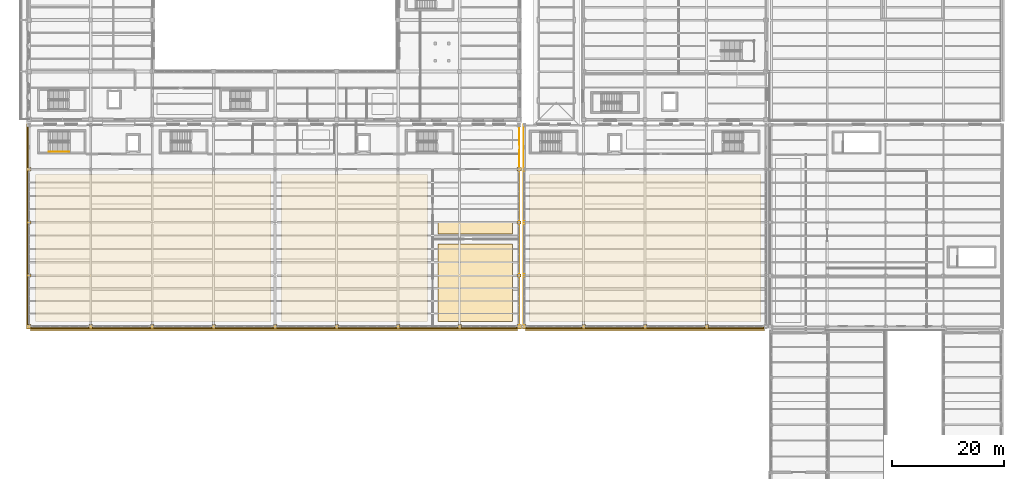
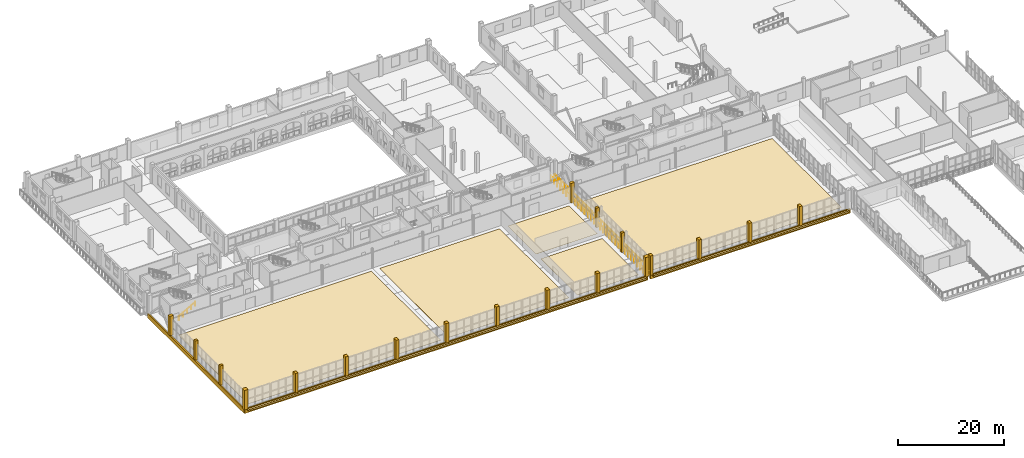
# One storey, part 135 of 156: 29 coverings, 3 railings.
"""IFC4 building model written with IfcOpenShell, lengths in metres."""

from ifc_helpers import new_model, si_unit, direction, frame, frame_2d, origin, origin_2d, place, context, subcontext, project, spatial, polyline, rectangle, circle, outline, extrude, material, layer, layer_set, type_object, element, save


model = new_model("IFC4")

# Units and contexts
model_context = context("Model", 3, precision=1e-05, world=origin(), true_north=direction((0.0, 1.0)))
body_context = subcontext(model_context, "Body", "Model", "MODEL_VIEW")
ifc_project = project(units=[si_unit("LENGTHUNIT", "METRE"), si_unit("AREAUNIT", "SQUARE_METRE"), si_unit("VOLUMEUNIT", "CUBIC_METRE"), si_unit("PLANEANGLEUNIT", "RADIAN"), si_unit("MASSUNIT", "GRAM", prefix="KILO")], contexts=[model_context])

# Site, building, storey
site_placement = place(None, origin())
site = spatial("IfcSite", under=ifc_project, at=site_placement, CompositionType="ELEMENT")
building_placement = place(site_placement, origin())
building = spatial("IfcBuilding", under=site, at=building_placement, Name="Caurita Quay Ferry Terminal", CompositionType="ELEMENT")
storey_placement = place(building_placement, frame((0.0, 0.0, 5.39990234375)))
storey = spatial("IfcBuildingStorey", under=building, at=storey_placement, Name="L01", CompositionType="ELEMENT", Elevation=5.39990234375)

# Coverings
ifc_material_1 = material(Name="Coral stone ashlar cladding", Category="masonry")
ifc_layer_1 = layer(ifc_material_1, 0.239990234375, Name="Classical coral-stone entablature and cornice moulding 240 mm")
ifc_layer_set_1 = layer_set([ifc_layer_1], Name="Coral stone ashlar cladding")
covering_type_1 = type_object("IfcCoveringType", Name="COV-ENT-MLD", PredefinedType="MOLDING", material=ifc_layer_set_1)
covering_1_placement = place(storey_placement, frame((0.0, 0.0, -0.31982421875)))
element("IfcCovering", 1, at=covering_1_placement, inside=storey, type_object=covering_type_1, Name="Harbourfront Portales Cornice Deck Tie 0", PredefinedType="MOLDING", context=body_context, shape_type="SweptSolid", body=[
    extrude(outline(polyline([(0.199951171875, 33.800048828125), (87.39990234375, 33.800048828125), (87.39990234375, 34.64990234375), (0.199951171875, 34.64990234375), (0.199951171875, 33.800048828125)])), origin(), (0.0, 0.0, 1.0), 0.33984375),
])
covering_2_placement = place(storey_placement, frame((0.0, 0.0, -0.31982421875)))
element("IfcCovering", 2, at=covering_2_placement, inside=storey, type_object=covering_type_1, Name="Harbourfront Portales Cornice Deck Tie 88", PredefinedType="MOLDING", context=body_context, shape_type="SweptSolid", body=[
    extrude(outline(polyline([(88.800048828125, 33.800048828125), (131.60009765625, 33.800048828125), (131.60009765625, 34.64990234375), (88.800048828125, 34.64990234375), (88.800048828125, 33.800048828125)])), origin(), (0.0, 0.0, 1.0), 0.33984375),
])
covering_3_placement = place(storey_placement, frame((-0.280029296875, 34.340087890625, -0.89990234375), z_axis=(0.0, 0.0, 1.0), x_axis=(1.0, 0.0, 0.0)))
element("IfcCovering", 3, at=covering_3_placement, inside=storey, type_object=covering_type_1, Name="L01 Classical Entablature Cornice 040", PredefinedType="MOLDING", context=body_context, shape_type="SweptSolid", body=[
    extrude(rectangle(XDim=88.130126953125, YDim=0.280029296875, at=frame_2d((44.06494140625, 0.0))), origin(), (0.0, 0.0, 1.0), 0.97998046875),
])
covering_4_placement = place(storey_placement, frame((88.35009765625, 34.340087890625, -0.89990234375), z_axis=(0.0, 0.0, 1.0), x_axis=(1.0, 0.0, 0.0)))
element("IfcCovering", 4, at=covering_4_placement, inside=storey, type_object=covering_type_1, Name="L01 Classical Entablature Cornice 041", PredefinedType="MOLDING", context=body_context, shape_type="SweptSolid", body=[
    extrude(rectangle(XDim=43.699951171875, YDim=0.280029296875, at=frame_2d((21.85009765625, 0.0))), origin(), (0.0, 0.0, 1.0), 0.97998046875),
])
covering_5_placement = place(storey_placement, frame((-0.280029296875, 70.85009765625, -0.89990234375), z_axis=(0.0, 0.0, 1.0), x_axis=(0.0, -1.0, 0.0)))
element("IfcCovering", 5, at=covering_5_placement, inside=storey, type_object=covering_type_1, Name="L01 Classical Entablature Cornice 044", PredefinedType="MOLDING", context=body_context, shape_type="SweptSolid", body=[
    extrude(rectangle(XDim=36.510009765625, YDim=0.280029296875, at=frame_2d((18.2548828125, 0.0))), origin(), (0.0, 0.0, 1.0), 0.97998046875),
])
ifc_material_2 = material(Name="Polished marine terrazzo tile", Category="finish")
ifc_layer_2 = layer(ifc_material_2, 0.02490234375, Name="Polished marine terrazzo floor finish 25 mm")
ifc_layer_set_2 = layer_set([ifc_layer_2], Name="Polished marine terrazzo tile")
covering_type_2 = type_object("IfcCoveringType", Name="COV-FLR-025", PredefinedType="FLOORING", material=ifc_layer_set_2)
covering_6_placement = place(storey_placement, origin())
element("IfcCovering", 6, at=covering_6_placement, inside=storey, type_object=covering_type_2, Name="Main Departure Concourse and Ticketing Hall Terrazzo Flooring", PredefinedType="FLOORING", context=body_context, shape_type="SweptSolid", body=[
    extrude(outline(polyline([(1.10009765625, 35.5), (43.300048828125, 35.5), (43.300048828125, 61.800048828125), (1.10009765625, 61.800048828125), (1.10009765625, 35.5)])), origin(), (0.0, 0.0, 1.0), 0.025146484375),
])
covering_7_placement = place(storey_placement, origin())
element("IfcCovering", 7, at=covering_7_placement, inside=storey, type_object=covering_type_2, Name="Inter-Island Passenger Waiting Lounge Terrazzo Flooring", PredefinedType="FLOORING", context=body_context, shape_type="SweptSolid", body=[
    extrude(outline(polyline([(45.10009765625, 35.5), (71.300048828125, 35.5), (71.300048828125, 61.800048828125), (45.10009765625, 61.800048828125), (45.10009765625, 35.5)])), origin(), (0.0, 0.0, 1.0), 0.025146484375),
])
covering_8_placement = place(storey_placement, origin())
element("IfcCovering", 8, at=covering_8_placement, inside=storey, type_object=covering_type_2, Name="Gulf of Paria Concourse Harbour Cafe Terrazzo Flooring", PredefinedType="FLOORING", context=body_context, shape_type="SweptSolid", body=[
    extrude(outline(polyline([(73.10009765625, 35.5), (86.5, 35.5), (86.5, 49.300048828125), (73.10009765625, 49.300048828125), (73.10009765625, 35.5)])), origin(), (0.0, 0.0, 1.0), 0.025146484375),
])
covering_9_placement = place(storey_placement, origin())
element("IfcCovering", 9, at=covering_9_placement, inside=storey, type_object=covering_type_2, Name="Outbound MARSEC Passenger Security Screening Terrazzo Flooring", PredefinedType="FLOORING", context=body_context, shape_type="SweptSolid", body=[
    extrude(outline(polyline([(73.10009765625, 51.10009765625), (86.5, 51.10009765625), (86.5, 61.800048828125), (73.10009765625, 61.800048828125), (73.10009765625, 51.10009765625)])), origin(), (0.0, 0.0, 1.0), 0.025146484375),
])
covering_10_placement = place(storey_placement, origin())
element("IfcCovering", 10, at=covering_10_placement, inside=storey, type_object=covering_type_2, Name="Arrivals Immigration and Passport Control Hall Terrazzo Flooring", PredefinedType="FLOORING", context=body_context, shape_type="SweptSolid", body=[
    extrude(outline(polyline([(89.5, 35.5), (130.89990234375, 35.5), (130.89990234375, 61.800048828125), (89.5, 61.800048828125), (89.5, 35.5)])), origin(), (0.0, 0.0, 1.0), 0.025146484375),
])
ifc_material_3 = material(Name="Warm-white lime stucco masonry", Category="masonry")
ifc_layer_3 = layer(ifc_material_3, 0.179931640625, Name="Classical engaged lime-stucco facade pilaster cladding 180 mm")
ifc_layer_set_3 = layer_set([ifc_layer_3], Name="Warm-white lime stucco masonry")
covering_type_3 = type_object("IfcCoveringType", Name="COV-PIL-CLD", PredefinedType="CLADDING", material=ifc_layer_set_3)
covering_11_placement = place(storey_placement, frame((-0.050048828125, 34.550048828125, 0.0), z_axis=(0.0, 0.0, 1.0), x_axis=(1.0, 0.0, 0.0)))
element("IfcCovering", 11, at=covering_11_placement, inside=storey, type_object=covering_type_3, Name="L01 Classical Engaged Pilaster 0002", PredefinedType="CLADDING", context=body_context, shape_type="SweptSolid", body=[
    extrude(rectangle(XDim=0.7880859375, YDim=0.7880859375, at=origin_2d()), origin(), (0.0, 0.0, 1.0), 4.5),
])
covering_12_placement = place(storey_placement, frame((-0.050048828125, 62.699951171875, 0.0), z_axis=(0.0, 0.0, 1.0), x_axis=(1.0, 0.0, 0.0)))
element("IfcCovering", 12, at=covering_12_placement, inside=storey, type_object=covering_type_3, Name="L01 Classical Engaged Pilaster 0006", PredefinedType="CLADDING", context=body_context, shape_type="SweptSolid", body=[
    extrude(rectangle(XDim=0.7880859375, YDim=0.6279296875, at=origin_2d()), origin(), (0.0, 0.0, 1.0), 4.5),
])
for number, where, z_axis, x_axis, name in (
    (13, (-0.050048828125, 43.699951171875, 0.0), (0.0, 0.0, 1.0), (1.0, 0.0, 0.0), "L01 Classical Engaged Pilaster 0009"),
    (14, (-0.050048828125, 53.199951171875, 0.0), (0.0, 0.0, 1.0), (1.0, 0.0, 0.0), "L01 Classical Engaged Pilaster 0012"),
):
    element("IfcCovering", number, at=place(storey_placement, frame(where, z_axis=z_axis, x_axis=x_axis)), inside=storey, type_object=covering_type_3, Name=name, PredefinedType="CLADDING", context=body_context, shape_type="SweptSolid", body=[
        extrude(rectangle(XDim=0.6787109375, YDim=0.513671875, at=origin_2d()), origin(), (0.0, 0.0, 1.0), 4.5),
    ])
for number, where, z_axis, x_axis, name in (
    (15, (11.0, 34.550048828125, 0.0), (0.0, 0.0, 1.0), (1.0, 0.0, 0.0), "L01 Classical Engaged Pilaster 0019"),
    (16, (22.0, 34.550048828125, 0.0), (0.0, 0.0, 1.0), (1.0, 0.0, 0.0), "L01 Classical Engaged Pilaster 0027"),
    (17, (33.0, 34.550048828125, 0.0), (0.0, 0.0, 1.0), (1.0, 0.0, 0.0), "L01 Classical Engaged Pilaster 0034"),
    (18, (44.0, 34.550048828125, 0.0), (0.0, 0.0, 1.0), (1.0, 0.0, 0.0), "L01 Classical Engaged Pilaster 0041"),
    (19, (55.0, 34.550048828125, 0.0), (0.0, 0.0, 1.0), (1.0, 0.0, 0.0), "L01 Classical Engaged Pilaster 0048"),
    (20, (66.0, 34.550048828125, 0.0), (0.0, 0.0, 1.0), (1.0, 0.0, 0.0), "L01 Classical Engaged Pilaster 0055"),
    (21, (77.0, 34.550048828125, 0.0), (0.0, 0.0, 1.0), (1.0, 0.0, 0.0), "L01 Classical Engaged Pilaster 0062"),
):
    element("IfcCovering", number, at=place(storey_placement, frame(where, z_axis=z_axis, x_axis=x_axis)), inside=storey, type_object=covering_type_3, Name=name, PredefinedType="CLADDING", context=body_context, shape_type="SweptSolid", body=[
        extrude(rectangle(XDim=0.6279296875, YDim=0.7880859375, at=origin_2d()), origin(), (0.0, 0.0, 1.0), 4.5),
    ])
covering_13_placement = place(storey_placement, frame((87.64990234375, 34.550048828125, 0.0), z_axis=(0.0, 0.0, 1.0), x_axis=(1.0, 0.0, 0.0)))
element("IfcCovering", 22, at=covering_13_placement, inside=storey, type_object=covering_type_3, Name="L01 Classical Engaged Pilaster 0070", PredefinedType="CLADDING", context=body_context, shape_type="SweptSolid", body=[
    extrude(rectangle(XDim=0.7880859375, YDim=0.7880859375, at=origin_2d()), origin(), (0.0, 0.0, 1.0), 4.5),
])
covering_14_placement = place(storey_placement, frame((87.64990234375, 62.699951171875, 0.0), z_axis=(0.0, 0.0, 1.0), x_axis=(1.0, 0.0, 0.0)))
element("IfcCovering", 23, at=covering_14_placement, inside=storey, type_object=covering_type_3, Name="L01 Classical Engaged Pilaster 0074", PredefinedType="CLADDING", context=body_context, shape_type="SweptSolid", body=[
    extrude(rectangle(XDim=0.7880859375, YDim=0.6279296875, at=origin_2d()), origin(), (0.0, 0.0, 1.0), 4.5),
])
for number, where, z_axis, x_axis, name in (
    (24, (87.64990234375, 43.699951171875, 0.0), (0.0, 0.0, 1.0), (1.0, 0.0, 0.0), "L01 Classical Engaged Pilaster 0076"),
    (25, (87.64990234375, 53.199951171875, 0.0), (0.0, 0.0, 1.0), (1.0, 0.0, 0.0), "L01 Classical Engaged Pilaster 0078"),
):
    element("IfcCovering", number, at=place(storey_placement, frame(where, z_axis=z_axis, x_axis=x_axis)), inside=storey, type_object=covering_type_3, Name=name, PredefinedType="CLADDING", context=body_context, shape_type="SweptSolid", body=[
        extrude(rectangle(XDim=0.6787109375, YDim=0.513671875, at=origin_2d()), origin(), (0.0, 0.0, 1.0), 4.5),
    ])
for number, where, z_axis, x_axis, name in (
    (26, (88.60009765625, 34.550048828125, 0.0), (0.0, 0.0, 1.0), (1.0, 0.0, 0.0), "L01 Classical Engaged Pilaster 0083"),
    (27, (99.199951171875, 34.550048828125, 0.0), (0.0, 0.0, 1.0), (1.0, 0.0, 0.0), "L01 Classical Engaged Pilaster 0090"),
    (28, (110.199951171875, 34.550048828125, 0.0), (0.0, 0.0, 1.0), (1.0, 0.0, 0.0), "L01 Classical Engaged Pilaster 0097"),
    (29, (121.199951171875, 34.550048828125, 0.0), (0.0, 0.0, 1.0), (1.0, 0.0, 0.0), "L01 Classical Engaged Pilaster 0104"),
):
    element("IfcCovering", number, at=place(storey_placement, frame(where, z_axis=z_axis, x_axis=x_axis)), inside=storey, type_object=covering_type_3, Name=name, PredefinedType="CLADDING", context=body_context, shape_type="SweptSolid", body=[
        extrude(rectangle(XDim=0.6279296875, YDim=0.7880859375, at=origin_2d()), origin(), (0.0, 0.0, 1.0), 4.5),
    ])

# Railings
ifc_material_4 = material(Name="Bronze architectural metalwork", Category="metal")
railing_type_1 = type_object("IfcRailingType", Name="RL-HND-090", PredefinedType="HANDRAIL", material=ifc_material_4)
railing_1_placement = place(storey_placement, frame((3.550048828125, 65.85009765625, 0.173095703125)))
element("IfcRailing", 30, at=railing_1_placement, inside=storey, type_object=railing_type_1, Name="L01 ST-05 stair handrail 1", PredefinedType="HANDRAIL", context=body_context, shape_type="SweptSolid", body=[
    extrude(circle(Radius=0.02392578125, at=origin_2d()), frame((0.0, 0.0, 0.8759765625), z_axis=(0.866178740119, 0.0, 0.499734319579), x_axis=(0.0, 1.0, 0.0)), (0.0, 0.0, 1.0), 4.156005859375),
    extrude(circle(Radius=0.02099609375, at=origin_2d()), origin(), (0.0, 0.0, 1.0), 0.851806640625),
    extrude(circle(Radius=0.02099609375, at=origin_2d()), frame((0.89990234375, 0.0, 0.519287109375)), (0.0, 0.0, 1.0), 0.851806640625),
    extrude(circle(Radius=0.02099609375, at=origin_2d()), frame((1.7998046875, 0.0, 1.03857421875)), (0.0, 0.0, 1.0), 0.851806640625),
    extrude(circle(Radius=0.02099609375, at=origin_2d()), frame((2.699951171875, 0.0, 1.5576171875)), (0.0, 0.0, 1.0), 0.851806640625),
    extrude(circle(Radius=0.02099609375, at=origin_2d()), frame((3.599853515625, 0.0, 2.076904296875)), (0.0, 0.0, 1.0), 0.851806640625),
])
railing_type_2 = type_object("IfcRailingType", Name="RL-REJA-115", PredefinedType="BALUSTRADE", material=ifc_material_4)
railing_2_placement = place(storey_placement, frame((87.699951171875, 70.64990234375, 0.0)))
element("IfcRailing", 31, at=railing_2_placement, inside=storey, type_object=railing_type_2, Name="L01 V1 NE Corner Guard (097)", PredefinedType="BALUSTRADE", context=body_context, shape_type="SweptSolid", body=[
    extrude(circle(Radius=0.02392578125, at=origin_2d()), frame((0.0, 0.0, 1.1259765625), z_axis=(0.0, -1.0, 0.0), x_axis=(1.0, 0.0, 0.0)), (0.0, 0.0, 1.0), 36.14990234375),
    extrude(circle(Radius=0.02099609375, at=origin_2d()), origin(), (0.0, 0.0, 1.0), 1.101806640625),
    extrude(circle(Radius=0.02099609375, at=origin_2d()), frame((0.0, -1.166015625, 0.0)), (0.0, 0.0, 1.0), 1.101806640625),
    extrude(circle(Radius=0.02099609375, at=origin_2d()), frame((0.0, -2.332275390625, 0.0)), (0.0, 0.0, 1.0), 1.101806640625),
    extrude(circle(Radius=0.02099609375, at=origin_2d()), frame((0.0, -3.498291015625, 0.0)), (0.0, 0.0, 1.0), 1.101806640625),
    extrude(circle(Radius=0.02099609375, at=origin_2d()), frame((0.0, -4.66455078125, 0.0)), (0.0, 0.0, 1.0), 1.101806640625),
    extrude(circle(Radius=0.02099609375, at=origin_2d()), frame((0.0, -5.83056640625, 0.0)), (0.0, 0.0, 1.0), 1.101806640625),
    extrude(circle(Radius=0.02099609375, at=origin_2d()), frame((0.0, -6.996826171875, 0.0)), (0.0, 0.0, 1.0), 1.101806640625),
    extrude(circle(Radius=0.02099609375, at=origin_2d()), frame((0.0, -8.162841796875, 0.0)), (0.0, 0.0, 1.0), 1.101806640625),
    extrude(circle(Radius=0.02099609375, at=origin_2d()), frame((0.0, -9.3291015625, 0.0)), (0.0, 0.0, 1.0), 1.101806640625),
    extrude(circle(Radius=0.02099609375, at=origin_2d()), frame((0.0, -10.4951171875, 0.0)), (0.0, 0.0, 1.0), 1.101806640625),
    extrude(circle(Radius=0.02099609375, at=origin_2d()), frame((0.0, -11.661376953125, 0.0)), (0.0, 0.0, 1.0), 1.101806640625),
    extrude(circle(Radius=0.02099609375, at=origin_2d()), frame((0.0, -12.827392578125, 0.0)), (0.0, 0.0, 1.0), 1.101806640625),
    extrude(circle(Radius=0.02099609375, at=origin_2d()), frame((0.0, -13.993408203125, 0.0)), (0.0, 0.0, 1.0), 1.101806640625),
    extrude(circle(Radius=0.02099609375, at=origin_2d()), frame((0.0, -15.15966796875, 0.0)), (0.0, 0.0, 1.0), 1.101806640625),
    extrude(circle(Radius=0.02099609375, at=origin_2d()), frame((0.0, -16.32568359375, 0.0)), (0.0, 0.0, 1.0), 1.101806640625),
    extrude(circle(Radius=0.02099609375, at=origin_2d()), frame((0.0, -17.491943359375, 0.0)), (0.0, 0.0, 1.0), 1.101806640625),
    extrude(circle(Radius=0.02099609375, at=origin_2d()), frame((0.0, -18.657958984375, 0.0)), (0.0, 0.0, 1.0), 1.101806640625),
    extrude(circle(Radius=0.02099609375, at=origin_2d()), frame((0.0, -19.82421875, 0.0)), (0.0, 0.0, 1.0), 1.101806640625),
    extrude(circle(Radius=0.02099609375, at=origin_2d()), frame((0.0, -20.990234375, 0.0)), (0.0, 0.0, 1.0), 1.101806640625),
    extrude(circle(Radius=0.02099609375, at=origin_2d()), frame((0.0, -22.156494140625, 0.0)), (0.0, 0.0, 1.0), 1.101806640625),
    extrude(circle(Radius=0.02099609375, at=origin_2d()), frame((0.0, -23.322509765625, 0.0)), (0.0, 0.0, 1.0), 1.101806640625),
    extrude(circle(Radius=0.02099609375, at=origin_2d()), frame((0.0, -24.488525390625, 0.0)), (0.0, 0.0, 1.0), 1.101806640625),
    extrude(circle(Radius=0.02099609375, at=origin_2d()), frame((0.0, -25.65478515625, 0.0)), (0.0, 0.0, 1.0), 1.101806640625),
    extrude(circle(Radius=0.02099609375, at=origin_2d()), frame((0.0, -26.82080078125, 0.0)), (0.0, 0.0, 1.0), 1.101806640625),
    extrude(circle(Radius=0.02099609375, at=origin_2d()), frame((0.0, -27.987060546875, 0.0)), (0.0, 0.0, 1.0), 1.101806640625),
    extrude(circle(Radius=0.02099609375, at=origin_2d()), frame((0.0, -29.153076171875, 0.0)), (0.0, 0.0, 1.0), 1.101806640625),
    extrude(circle(Radius=0.02099609375, at=origin_2d()), frame((0.0, -30.3193359375, 0.0)), (0.0, 0.0, 1.0), 1.101806640625),
    extrude(circle(Radius=0.02099609375, at=origin_2d()), frame((0.0, -31.4853515625, 0.0)), (0.0, 0.0, 1.0), 1.101806640625),
    extrude(circle(Radius=0.02099609375, at=origin_2d()), frame((0.0, -32.651611328125, 0.0)), (0.0, 0.0, 1.0), 1.101806640625),
    extrude(circle(Radius=0.02099609375, at=origin_2d()), frame((0.0, -33.817626953125, 0.0)), (0.0, 0.0, 1.0), 1.101806640625),
    extrude(circle(Radius=0.02099609375, at=origin_2d()), frame((0.0, -34.98388671875, 0.0)), (0.0, 0.0, 1.0), 1.101806640625),
    extrude(circle(Radius=0.02099609375, at=origin_2d()), frame((0.0, -36.14990234375, 0.0)), (0.0, 0.0, 1.0), 1.101806640625),
])
railing_3_placement = place(storey_placement, frame((88.550048828125, 70.64990234375, 0.0)))
element("IfcRailing", 32, at=railing_3_placement, inside=storey, type_object=railing_type_2, Name="L01 V2 NW Corner Guard (099)", PredefinedType="BALUSTRADE", context=body_context, shape_type="SweptSolid", body=[
    extrude(circle(Radius=0.02392578125, at=origin_2d()), frame((0.0, 0.0, 1.1259765625), z_axis=(0.0, -1.0, 0.0), x_axis=(1.0, 0.0, 0.0)), (0.0, 0.0, 1.0), 36.14990234375),
    extrude(circle(Radius=0.02099609375, at=origin_2d()), origin(), (0.0, 0.0, 1.0), 1.101806640625),
    extrude(circle(Radius=0.02099609375, at=origin_2d()), frame((0.0, -1.166015625, 0.0)), (0.0, 0.0, 1.0), 1.101806640625),
    extrude(circle(Radius=0.02099609375, at=origin_2d()), frame((0.0, -2.332275390625, 0.0)), (0.0, 0.0, 1.0), 1.101806640625),
    extrude(circle(Radius=0.02099609375, at=origin_2d()), frame((0.0, -3.498291015625, 0.0)), (0.0, 0.0, 1.0), 1.101806640625),
    extrude(circle(Radius=0.02099609375, at=origin_2d()), frame((0.0, -4.66455078125, 0.0)), (0.0, 0.0, 1.0), 1.101806640625),
    extrude(circle(Radius=0.02099609375, at=origin_2d()), frame((0.0, -5.83056640625, 0.0)), (0.0, 0.0, 1.0), 1.101806640625),
    extrude(circle(Radius=0.02099609375, at=origin_2d()), frame((0.0, -6.996826171875, 0.0)), (0.0, 0.0, 1.0), 1.101806640625),
    extrude(circle(Radius=0.02099609375, at=origin_2d()), frame((0.0, -8.162841796875, 0.0)), (0.0, 0.0, 1.0), 1.101806640625),
    extrude(circle(Radius=0.02099609375, at=origin_2d()), frame((0.0, -9.3291015625, 0.0)), (0.0, 0.0, 1.0), 1.101806640625),
    extrude(circle(Radius=0.02099609375, at=origin_2d()), frame((0.0, -10.4951171875, 0.0)), (0.0, 0.0, 1.0), 1.101806640625),
    extrude(circle(Radius=0.02099609375, at=origin_2d()), frame((0.0, -11.661376953125, 0.0)), (0.0, 0.0, 1.0), 1.101806640625),
    extrude(circle(Radius=0.02099609375, at=origin_2d()), frame((0.0, -12.827392578125, 0.0)), (0.0, 0.0, 1.0), 1.101806640625),
    extrude(circle(Radius=0.02099609375, at=origin_2d()), frame((0.0, -13.993408203125, 0.0)), (0.0, 0.0, 1.0), 1.101806640625),
    extrude(circle(Radius=0.02099609375, at=origin_2d()), frame((0.0, -15.15966796875, 0.0)), (0.0, 0.0, 1.0), 1.101806640625),
    extrude(circle(Radius=0.02099609375, at=origin_2d()), frame((0.0, -16.32568359375, 0.0)), (0.0, 0.0, 1.0), 1.101806640625),
    extrude(circle(Radius=0.02099609375, at=origin_2d()), frame((0.0, -17.491943359375, 0.0)), (0.0, 0.0, 1.0), 1.101806640625),
    extrude(circle(Radius=0.02099609375, at=origin_2d()), frame((0.0, -18.657958984375, 0.0)), (0.0, 0.0, 1.0), 1.101806640625),
    extrude(circle(Radius=0.02099609375, at=origin_2d()), frame((0.0, -19.82421875, 0.0)), (0.0, 0.0, 1.0), 1.101806640625),
    extrude(circle(Radius=0.02099609375, at=origin_2d()), frame((0.0, -20.990234375, 0.0)), (0.0, 0.0, 1.0), 1.101806640625),
    extrude(circle(Radius=0.02099609375, at=origin_2d()), frame((0.0, -22.156494140625, 0.0)), (0.0, 0.0, 1.0), 1.101806640625),
    extrude(circle(Radius=0.02099609375, at=origin_2d()), frame((0.0, -23.322509765625, 0.0)), (0.0, 0.0, 1.0), 1.101806640625),
    extrude(circle(Radius=0.02099609375, at=origin_2d()), frame((0.0, -24.488525390625, 0.0)), (0.0, 0.0, 1.0), 1.101806640625),
    extrude(circle(Radius=0.02099609375, at=origin_2d()), frame((0.0, -25.65478515625, 0.0)), (0.0, 0.0, 1.0), 1.101806640625),
    extrude(circle(Radius=0.02099609375, at=origin_2d()), frame((0.0, -26.82080078125, 0.0)), (0.0, 0.0, 1.0), 1.101806640625),
    extrude(circle(Radius=0.02099609375, at=origin_2d()), frame((0.0, -27.987060546875, 0.0)), (0.0, 0.0, 1.0), 1.101806640625),
    extrude(circle(Radius=0.02099609375, at=origin_2d()), frame((0.0, -29.153076171875, 0.0)), (0.0, 0.0, 1.0), 1.101806640625),
    extrude(circle(Radius=0.02099609375, at=origin_2d()), frame((0.0, -30.3193359375, 0.0)), (0.0, 0.0, 1.0), 1.101806640625),
    extrude(circle(Radius=0.02099609375, at=origin_2d()), frame((0.0, -31.4853515625, 0.0)), (0.0, 0.0, 1.0), 1.101806640625),
    extrude(circle(Radius=0.02099609375, at=origin_2d()), frame((0.0, -32.651611328125, 0.0)), (0.0, 0.0, 1.0), 1.101806640625),
    extrude(circle(Radius=0.02099609375, at=origin_2d()), frame((0.0, -33.817626953125, 0.0)), (0.0, 0.0, 1.0), 1.101806640625),
    extrude(circle(Radius=0.02099609375, at=origin_2d()), frame((0.0, -34.98388671875, 0.0)), (0.0, 0.0, 1.0), 1.101806640625),
    extrude(circle(Radius=0.02099609375, at=origin_2d()), frame((0.0, -36.14990234375, 0.0)), (0.0, 0.0, 1.0), 1.101806640625),
])

save(model, "model.ifc")
